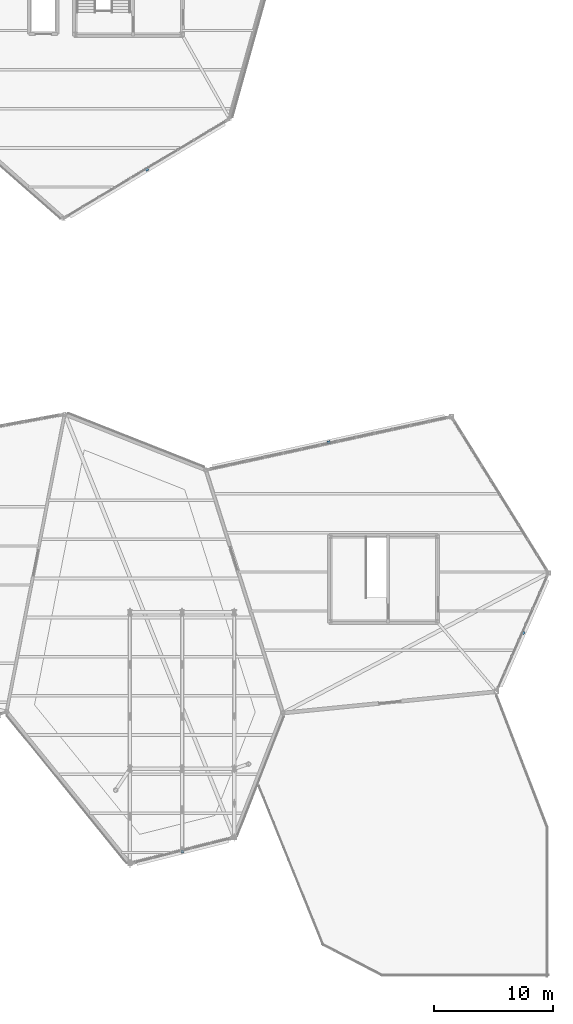
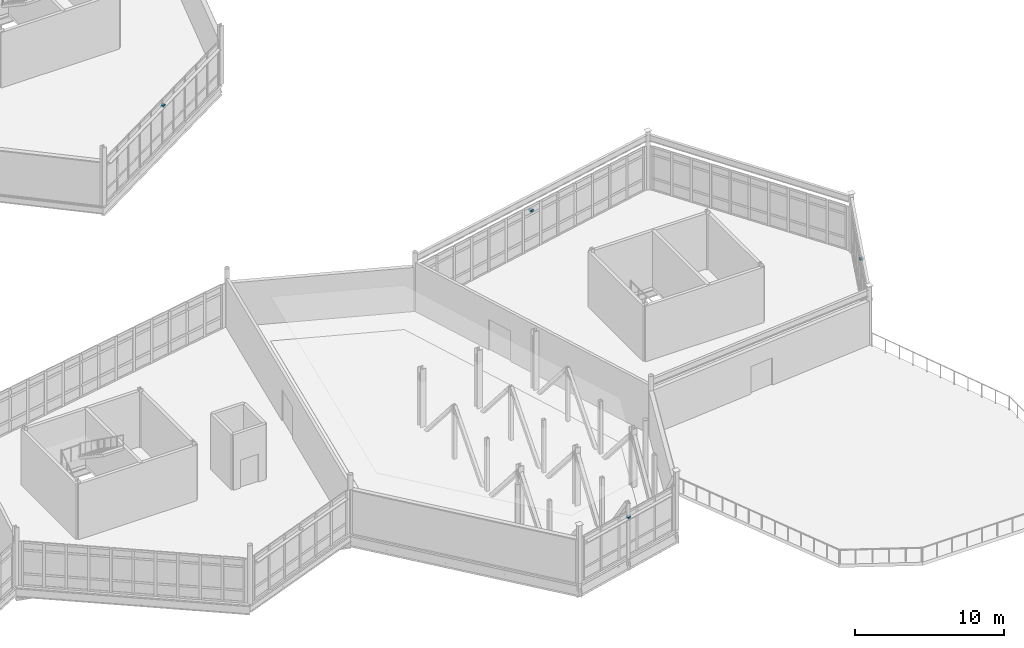
# One storey, part 105 of 114: 4 discrete accessories.
"""IFC4 building model written with IfcOpenShell, lengths in metres."""

from ifc_helpers import new_model, si_unit, direction, frame, origin, origin_2d, place, context, subcontext, project, spatial, rectangle, extrude, material, type_object, element, save


model = new_model("IFC4")

# Units and contexts
model_context = context("Model", 3, precision=1e-05, world=origin(), true_north=direction((0.0, 1.0)))
body_context = subcontext(model_context, "Body", "Model", "MODEL_VIEW")
ifc_project = project(units=[si_unit("LENGTHUNIT", "METRE"), si_unit("AREAUNIT", "SQUARE_METRE"), si_unit("VOLUMEUNIT", "CUBIC_METRE"), si_unit("PLANEANGLEUNIT", "RADIAN"), si_unit("MASSUNIT", "GRAM", prefix="KILO")], contexts=[model_context])

# Site, building, storey
site_placement = place(None, origin())
site = spatial("IfcSite", under=ifc_project, at=site_placement, CompositionType="ELEMENT")
building_placement = place(site_placement, origin())
building = spatial("IfcBuilding", under=site, at=building_placement, Name="Tameran Prism Museum", CompositionType="ELEMENT")
storey_placement = place(building_placement, frame((0.0, 0.0, 10.199951171875)))
storey = spatial("IfcBuildingStorey", under=building, at=storey_placement, Name="L02", CompositionType="ELEMENT", Elevation=10.199951171875)

# Discrete accessories
ifc_material = material(Name="Galvanized Steel Grade 350 (350 MPa)", Category="steel")
discrete_accessory_type = type_object("IfcDiscreteAccessoryType", Name="DA-BRK-STL", PredefinedType="BRACKET", material=ifc_material)
for number, where, z_axis, x_axis, name in (
    (1, (132.541015625, 68.031005859375, 3.09033203125), (0.0, 0.0, 1.0), (-0.857526656194, -0.514439533782, 0.0), "Facade Sunshade Bracket BK-040"),
    (2, (135.51904296875, 10.52197265625, 3.09033203125), (0.0, 0.0, 1.0), (-0.97012659649, -0.242599230795, 0.0), "Facade Sunshade Bracket BK-050"),
    (3, (164.27294921875, 28.968017578125, 3.09033203125), (0.0, 0.0, 1.0), (-0.402746689859, -0.915311479119, 0.0), "Facade Sunshade Bracket BK-054"),
    (4, (147.863037109375, 45.033935546875, 3.09033203125), (0.0, 0.0, 1.0), (0.977194059589, 0.212348227928, 0.0), "Facade Sunshade Bracket BK-055"),
):
    element("IfcDiscreteAccessory", number, at=place(storey_placement, frame(where, z_axis=z_axis, x_axis=x_axis)), inside=storey, type_object=discrete_accessory_type, Name=name, PredefinedType="BRACKET", context=body_context, shape_type="SweptSolid", body=[
        extrude(rectangle(XDim=0.239990234375, YDim=0.239990234375, at=origin_2d()), origin(), (0.0, 0.0, 1.0), 0.159912109375),
    ])

save(model, "model.ifc")
